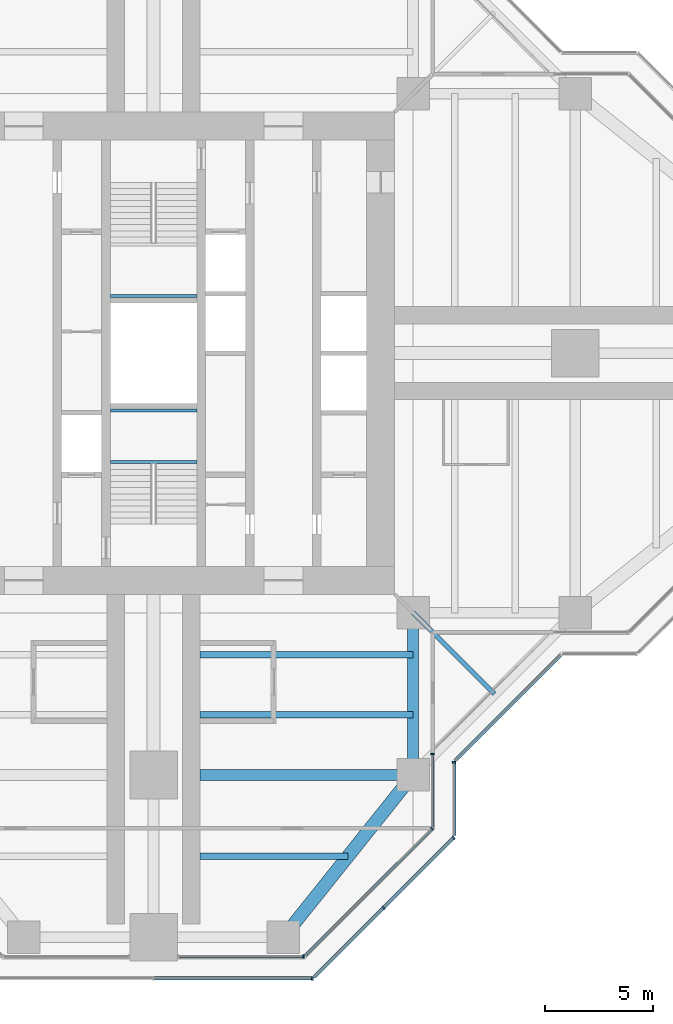
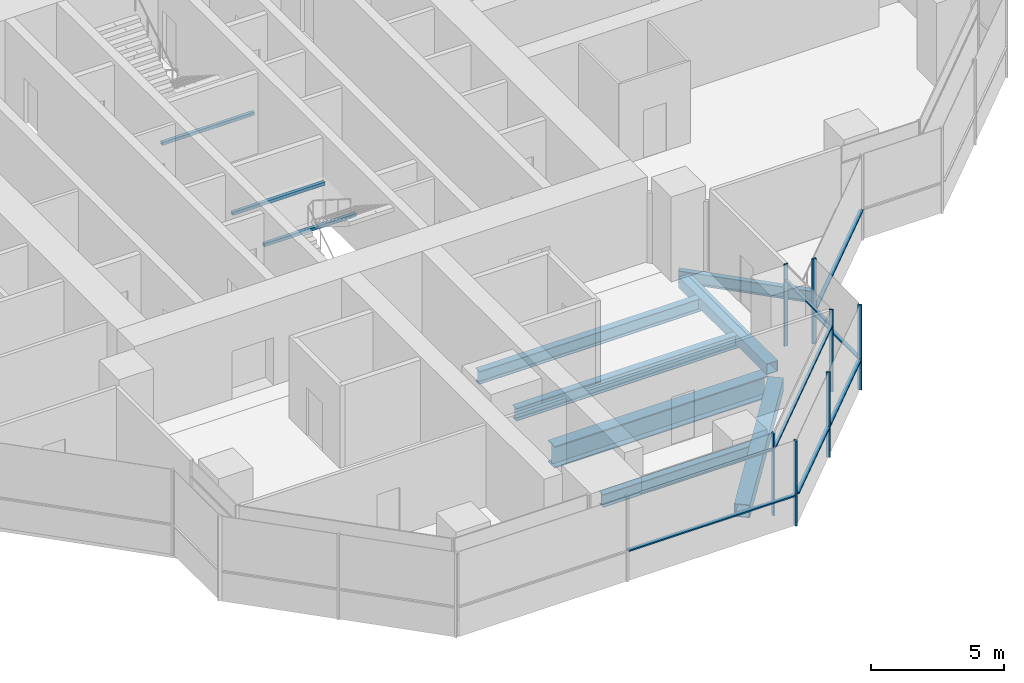
# One storey, part 4 of 17: 15 members, 10 beams, 7 elements without a shape of their own.
"""IFC4 building model written with IfcOpenShell, lengths in metres."""

from ifc_helpers import new_model, si_unit, direction, frame, origin, origin_2d, place, context, subcontext, project, spatial, rectangle, hollow_rectangle, i_section, extrude, material, material_profile, profile_set, type_object, element, aggregate, save


model = new_model("IFC4")

# Units and contexts
model_context = context("Model", 3, precision=1e-05, world=origin(), true_north=direction((0.0, 1.0)))
body_context = subcontext(model_context, "Body", "Model", "MODEL_VIEW")
ifc_project = project(units=[si_unit("LENGTHUNIT", "METRE"), si_unit("AREAUNIT", "SQUARE_METRE"), si_unit("VOLUMEUNIT", "CUBIC_METRE"), si_unit("PLANEANGLEUNIT", "RADIAN"), si_unit("MASSUNIT", "GRAM", prefix="KILO")], contexts=[model_context])

# Site, building, storey
site_placement = place(None, origin())
site = spatial("IfcSite", under=ifc_project, at=site_placement, CompositionType="ELEMENT")
building_placement = place(site_placement, origin())
building = spatial("IfcBuilding", under=site, at=building_placement, Name="Mizan Broadcast Tower", CompositionType="ELEMENT")
storey_placement = place(building_placement, frame((0.0, 0.0, 220.5)))
storey = spatial("IfcBuildingStorey", under=building, at=storey_placement, Name="L51", CompositionType="ELEMENT", Elevation=220.5)

# Beams
ifc_material_1 = material(Name="Steel S355", Category="steel")
ifc_material_profile_1 = material_profile(ifc_material_1, hollow_rectangle(XDim=0.5, YDim=0.5, WallThickness=0.030029296875, at=origin_2d()), Name="BOX 500x500x30")
ifc_profile_set_1 = profile_set([ifc_material_profile_1], Name="Steel S355")
beam_type_1 = type_object("IfcBeamType", Name="EDGE BEAM BOX 500x500x30", PredefinedType="SPANDREL", material=ifc_profile_set_1)
beam_1_placement = place(storey_placement, frame((12.0, -12.449951171875, -0.3798828125), z_axis=(0.0, -1.0, 0.0), x_axis=(1.0, 0.0, 0.0)))
element("IfcBeam", 1, at=beam_1_placement, inside=storey, type_object=beam_type_1, Name="Edge beam BOX 500x500x30 L51 south arm", PredefinedType="SPANDREL", context=body_context, shape_type="SweptSolid", body=[
    extrude(hollow_rectangle(XDim=0.5, YDim=0.5, WallThickness=0.030029296875, at=origin_2d()), origin(), (0.0, 0.0, 1.0), 6.60009765625),
])
ifc_material_2 = material(Name="Steel S355", Category="steel")
ifc_material_profile_2 = material_profile(ifc_material_2, hollow_rectangle(XDim=0.60009765625, YDim=0.60009765625, WallThickness=0.030029296875, at=origin_2d()), Name="BOX 600x600x30")
ifc_profile_set_2 = profile_set([ifc_material_profile_2], Name="Steel S355")
beam_type_2 = type_object("IfcBeamType", Name="EDGE BEAM BOX 600x600x30", PredefinedType="SPANDREL", material=ifc_profile_set_2)
beam_2_placement = place(storey_placement, frame((11.639892578125, -19.949951171875, -0.429931640625), z_axis=(-0.624673911726, -0.780885717636, 0.0), x_axis=(0.780885717636, -0.624673911726, 0.0)))
element("IfcBeam", 2, at=beam_2_placement, inside=storey, type_object=beam_type_2, Name="Edge beam BOX 600x600x30 L51 south arm", PredefinedType="SPANDREL", context=body_context, shape_type="SweptSolid", body=[
    extrude(hollow_rectangle(XDim=0.60009765625, YDim=0.60009765625, WallThickness=0.030029296875, at=origin_2d()), origin(), (0.0, 0.0, 1.0), 8.4521484375),
])
ifc_material_3 = material(Name="Steel S460", Category="steel")
ifc_material_profile_3 = material_profile(ifc_material_3, i_section(OverallWidth=0.5, OverallDepth=1.0, WebThickness=0.02490234375, FlangeThickness=0.050048828125, at=origin_2d()), Name="WPG 1000x500")
ifc_profile_set_3 = profile_set([ifc_material_profile_3], Name="Steel S460")
beam_type_3 = type_object("IfcBeamType", Name="GIRDER WPG 1000x500", PredefinedType="BEAM", material=ifc_profile_set_3)
beam_3_placement = place(storey_placement, frame((11.408935546875, -19.5, -0.6298828125), z_axis=(-1.0, 0.0, 0.0), x_axis=(0.0, -1.0, 0.0)))
element("IfcBeam", 3, at=beam_3_placement, inside=storey, type_object=beam_type_3, Name="Girder WPG 1000x500 L51 south arm", PredefinedType="BEAM", context=body_context, shape_type="SweptSolid", body=[
    extrude(i_section(OverallWidth=0.5, OverallDepth=1.0, WebThickness=0.02490234375, FlangeThickness=0.050048828125, at=origin_2d()), origin(), (0.0, 0.0, 1.0), 9.259033203125),
])

# Curtain wall, member
ifc_material_4 = material(Name="Aluminium framed glazing", Category="aluminium")
curtain_wall_type_1 = type_object("IfcCurtainWallType", Name="INNER SKIN HIGH ZONE", PredefinedType="USERDEFINED", material=ifc_material_4)
curtain_wall_1_placement = place(storey_placement, origin())
curtain_wall_1 = element("IfcCurtainWall", 4, at=curtain_wall_1_placement, inside=storey, type_object=curtain_wall_type_1, Name="Inner skin high zone L51 S end", ObjectType="INNER SKIN HIGH ZONE", PredefinedType="USERDEFINED")
ifc_material_5 = material(Name="Aluminium, pale anodised", Category="aluminium")
ifc_material_profile_4 = material_profile(ifc_material_5, rectangle(XDim=0.159912109375, YDim=0.06005859375, at=origin_2d()), Name="MULLION 160x60")
ifc_profile_set_4 = profile_set([ifc_material_profile_4], Name="Aluminium, pale anodised")
member_type_1 = type_object("IfcMemberType", Name="INNER SKIN MULLION 60x160", PredefinedType="MULLION", material=ifc_profile_set_4)
member_1_placement = place(storey_placement, frame((6.928466796875, -27.89990234375, 0.0), z_axis=(0.0, 0.0, 1.0), x_axis=(0.0, 1.0, 0.0)))
member_1 = element("IfcMember", 5, at=member_1_placement, type_object=member_type_1, Name="Inner skin high zone L51 S end mullion 2", PredefinedType="MULLION", context=body_context, shape_type="SweptSolid", body=[
    extrude(rectangle(XDim=0.159912109375, YDim=0.06005859375, at=origin_2d()), origin(), (0.0, 0.0, 1.0), 3.77001953125),
])

curtain_wall_2_placement = place(storey_placement, origin())
curtain_wall_2 = element("IfcCurtainWall", 6, at=curtain_wall_2_placement, inside=storey, type_object=curtain_wall_type_1, Name="Inner skin high zone L51 S chamfer", ObjectType="INNER SKIN HIGH ZONE", PredefinedType="USERDEFINED")
member_2_placement = place(storey_placement, frame((12.87890625, -21.979736328125, 0.0), z_axis=(0.0, 0.0, 1.0), x_axis=(-0.707106781187, 0.707106781187, 0.0)))
member_2 = element("IfcMember", 7, at=member_2_placement, type_object=member_type_1, Name="Inner skin high zone L51 S chamfer mullion 2", PredefinedType="MULLION", context=body_context, shape_type="SweptSolid", body=[
    extrude(rectangle(XDim=0.159912109375, YDim=0.06005859375, at=origin_2d()), origin(), (0.0, 0.0, 1.0), 3.77001953125),
])

curtain_wall_3_placement = place(storey_placement, origin())
curtain_wall_3 = element("IfcCurtainWall", 8, at=curtain_wall_3_placement, inside=storey, type_object=curtain_wall_type_1, Name="Inner skin high zone L51 S side", ObjectType="INNER SKIN HIGH ZONE", PredefinedType="USERDEFINED")
member_3_placement = place(storey_placement, frame((12.89990234375, -18.530029296875, 0.0), z_axis=(0.0, 0.0, 1.0), x_axis=(-1.0, 0.0, 0.0)))
member_3 = element("IfcMember", 9, at=member_3_placement, type_object=member_type_1, Name="Inner skin high zone L51 S side mullion 2", PredefinedType="MULLION", context=body_context, shape_type="SweptSolid", body=[
    extrude(rectangle(XDim=0.159912109375, YDim=0.06005859375, at=origin_2d()), origin(), (0.0, 0.0, 1.0), 3.77001953125),
])

# Member
ifc_material_6 = material(Name="Aluminium, pale anodised", Category="aluminium")
ifc_material_profile_5 = material_profile(ifc_material_6, rectangle(XDim=0.1201171875, YDim=0.06005859375, at=origin_2d()), Name="TRANSOM 120x60")
ifc_profile_set_5 = profile_set([ifc_material_profile_5], Name="Aluminium, pale anodised")
member_type_2 = type_object("IfcMemberType", Name="INNER SKIN TRANSOM 60x120", PredefinedType="USERDEFINED", material=ifc_profile_set_5)
member_4_placement = place(storey_placement, frame((1.159912109375, -27.89990234375, 3.030029296875), z_axis=(1.0, 0.0, 0.0), x_axis=(0.0, 1.0, 0.0)))
member_4 = element("IfcMember", 10, at=member_4_placement, type_object=member_type_2, Name="Inner skin high zone L51 S end transom 1.1", ObjectType="TRANSOM", PredefinedType="USERDEFINED", context=body_context, shape_type="SweptSolid", body=[
    extrude(rectangle(XDim=0.1201171875, YDim=0.06005859375, at=origin_2d()), origin(), (0.0, 0.0, 1.0), 5.73876953125),
])

aggregate(curtain_wall_1, [member_1, member_4])

member_5_placement = place(storey_placement, frame((7.0009765625, -27.857666015625, 3.030029296875), z_axis=(0.707106781187, 0.707106781187, 0.0), x_axis=(-0.707106781187, 0.707106781187, 0.0)))
member_5 = element("IfcMember", 11, at=member_5_placement, type_object=member_type_2, Name="Inner skin high zone L51 S chamfer transom 1.1", ObjectType="TRANSOM", PredefinedType="USERDEFINED", context=body_context, shape_type="SweptSolid", body=[
    extrude(rectangle(XDim=0.1201171875, YDim=0.06005859375, at=origin_2d()), origin(), (0.0, 0.0, 1.0), 8.28271484375),
])

aggregate(curtain_wall_2, [member_2, member_5])

member_6_placement = place(storey_placement, frame((12.89990234375, -21.898681640625, 3.030029296875), z_axis=(0.0, 1.0, 0.0), x_axis=(-1.0, 0.0, 0.0)))
member_6 = element("IfcMember", 12, at=member_6_placement, type_object=member_type_2, Name="Inner skin high zone L51 S side transom 1.1", ObjectType="TRANSOM", PredefinedType="USERDEFINED", context=body_context, shape_type="SweptSolid", body=[
    extrude(rectangle(XDim=0.1201171875, YDim=0.06005859375, at=origin_2d()), origin(), (0.0, 0.0, 1.0), 3.338623046875),
])

aggregate(curtain_wall_3, [member_3, member_6])

# Beams
ifc_material_7 = material(Name="Steel S355", Category="steel")
ifc_material_profile_6 = material_profile(ifc_material_7, hollow_rectangle(XDim=0.14990234375, YDim=0.14990234375, WallThickness=0.008056640625, InnerFilletRadius=0.008056640625, OuterFilletRadius=0.011962890625, at=origin_2d()), Name="SHS 150x150x8")
ifc_profile_set_6 = profile_set([ifc_material_profile_6], Name="Steel S355")
beam_type_4 = type_object("IfcBeamType", Name="LANDING TRIMMER SHS 150x150x8", PredefinedType="BEAM", material=ifc_profile_set_6)
for number, where, z_axis, x_axis, name in (
    (13, (-2.0, -5.02490234375, 1.675048828125), (1.0, 0.0, 0.0), (0.0, 1.0, 0.0), "Stair A landing trimmer L51"),
    (14, (-2.0, -2.64990234375, 1.675048828125), (1.0, 0.0, 0.0), (0.0, 1.0, 0.0), "Stair A landing trimmer L51"),
    (15, (2.0, 2.64990234375, 1.675048828125), (-1.0, 0.0, 0.0), (0.0, -1.0, 0.0), "Stair B landing trimmer L51"),
):
    element("IfcBeam", number, at=place(storey_placement, frame(where, z_axis=z_axis, x_axis=x_axis)), inside=storey, type_object=beam_type_4, Name=name, PredefinedType="BEAM", context=body_context, shape_type="SweptSolid", body=[
        extrude(hollow_rectangle(XDim=0.14990234375, YDim=0.14990234375, WallThickness=0.008056640625, InnerFilletRadius=0.008056640625, OuterFilletRadius=0.011962890625, at=origin_2d()), origin(), (0.0, 0.0, 1.0), 4.0),
    ])

# Curtain wall, member
ifc_material_8 = material(Name="Aluminium framed glazing", Category="aluminium")
curtain_wall_type_2 = type_object("IfcCurtainWallType", Name="OUTER SKIN", PredefinedType="USERDEFINED", material=ifc_material_8)
curtain_wall_4_placement = place(storey_placement, origin())
curtain_wall_4 = element("IfcCurtainWall", 16, at=curtain_wall_4_placement, inside=storey, type_object=curtain_wall_type_2, Name="Outer skin L51 S end", ObjectType="OUTER SKIN", PredefinedType="USERDEFINED")
ifc_material_9 = material(Name="Aluminium, pale anodised", Category="aluminium")
ifc_material_profile_7 = material_profile(ifc_material_9, rectangle(XDim=0.159912109375, YDim=0.080078125, at=origin_2d()), Name="MULLION 160x80")
ifc_profile_set_7 = profile_set([ifc_material_profile_7], Name="Aluminium, pale anodised")
member_type_3 = type_object("IfcMemberType", Name="OUTER SKIN MULLION 80x160", PredefinedType="MULLION", material=ifc_profile_set_7)
member_7_placement = place(storey_placement, frame((7.332763671875, -28.89990234375, 0.0), z_axis=(0.0, 0.0, 1.0), x_axis=(0.0, 1.0, 0.0)))
member_7 = element("IfcMember", 17, at=member_7_placement, type_object=member_type_3, Name="Outer skin L51 S end mullion 3", PredefinedType="MULLION", context=body_context, shape_type="SweptSolid", body=[
    extrude(rectangle(XDim=0.159912109375, YDim=0.080078125, at=origin_2d()), origin(), (0.0, 0.0, 1.0), 3.89990234375),
])

# Curtain wall, members
curtain_wall_5_placement = place(storey_placement, origin())
curtain_wall_5 = element("IfcCurtainWall", 18, at=curtain_wall_5_placement, inside=storey, type_object=curtain_wall_type_2, Name="Outer skin L51 S chamfer", ObjectType="OUTER SKIN", PredefinedType="USERDEFINED")
member_8_placement = place(storey_placement, frame((10.636474609375, -25.636474609375, 0.0), z_axis=(0.0, 0.0, 1.0), x_axis=(-0.707106781187, 0.707106781187, 0.0)))
member_8 = element("IfcMember", 19, at=member_8_placement, type_object=member_type_3, Name="Outer skin L51 S chamfer mullion 2", PredefinedType="MULLION", context=body_context, shape_type="SweptSolid", body=[
    extrude(rectangle(XDim=0.159912109375, YDim=0.080078125, at=origin_2d()), origin(), (0.0, 0.0, 1.0), 3.89990234375),
])
member_9_placement = place(storey_placement, frame((13.871826171875, -22.401123046875, 0.0), z_axis=(0.0, 0.0, 1.0), x_axis=(-0.707106781187, 0.707106781187, 0.0)))
member_9 = element("IfcMember", 20, at=member_9_placement, type_object=member_type_3, Name="Outer skin L51 S chamfer mullion 3", PredefinedType="MULLION", context=body_context, shape_type="SweptSolid", body=[
    extrude(rectangle(XDim=0.159912109375, YDim=0.080078125, at=origin_2d()), origin(), (0.0, 0.0, 1.0), 3.89990234375),
])

# Curtain wall, member
curtain_wall_6_placement = place(storey_placement, origin())
curtain_wall_6 = element("IfcCurtainWall", 21, at=curtain_wall_6_placement, inside=storey, type_object=curtain_wall_type_2, Name="Outer skin L51 S side", ObjectType="OUTER SKIN", PredefinedType="USERDEFINED")
member_10_placement = place(storey_placement, frame((13.89990234375, -18.912841796875, 0.0), z_axis=(0.0, 0.0, 1.0), x_axis=(-1.0, 0.0, 0.0)))
member_10 = element("IfcMember", 22, at=member_10_placement, type_object=member_type_3, Name="Outer skin L51 S side mullion 2", PredefinedType="MULLION", context=body_context, shape_type="SweptSolid", body=[
    extrude(rectangle(XDim=0.159912109375, YDim=0.080078125, at=origin_2d()), origin(), (0.0, 0.0, 1.0), 3.89990234375),
])

# Member
ifc_material_10 = material(Name="Aluminium, pale anodised", Category="aluminium")
ifc_material_profile_8 = material_profile(ifc_material_10, rectangle(XDim=0.159912109375, YDim=0.06005859375, at=origin_2d()), Name="TRANSOM 160x60")
ifc_profile_set_8 = profile_set([ifc_material_profile_8], Name="Aluminium, pale anodised")
member_type_4 = type_object("IfcMemberType", Name="OUTER SKIN TRANSOM 60x160", PredefinedType="USERDEFINED", material=ifc_profile_set_8)
member_11_placement = place(storey_placement, frame((0.0400390625, -28.89990234375, 1.39990234375), z_axis=(1.0, 0.0, 0.0), x_axis=(0.0, 1.0, 0.0)))
member_11 = element("IfcMember", 23, at=member_11_placement, type_object=member_type_4, Name="Outer skin L51 S end transom 2.1", ObjectType="TRANSOM", PredefinedType="USERDEFINED", context=body_context, shape_type="SweptSolid", body=[
    extrude(rectangle(XDim=0.159912109375, YDim=0.06005859375, at=origin_2d()), origin(), (0.0, 0.0, 1.0), 7.252685546875),
])

aggregate(curtain_wall_4, [member_7, member_11])

member_12_placement = place(storey_placement, frame((7.429443359375, -28.843505859375, 1.39990234375), z_axis=(0.707106781187, 0.707106781187, 0.0), x_axis=(-0.707106781187, 0.707106781187, 0.0)))
member_12 = element("IfcMember", 24, at=member_12_placement, type_object=member_type_4, Name="Outer skin L51 S chamfer transom 1.1", ObjectType="TRANSOM", PredefinedType="USERDEFINED", context=body_context, shape_type="SweptSolid", body=[
    extrude(rectangle(XDim=0.159912109375, YDim=0.06005859375, at=origin_2d()), origin(), (0.0, 0.0, 1.0), 4.495361328125),
])

member_13_placement = place(storey_placement, frame((10.664794921875, -25.608154296875, 1.39990234375), z_axis=(0.707106781187, 0.707106781187, 0.0), x_axis=(-0.707106781187, 0.707106781187, 0.0)))
member_13 = element("IfcMember", 25, at=member_13_placement, type_object=member_type_4, Name="Outer skin L51 S chamfer transom 2.1", ObjectType="TRANSOM", PredefinedType="USERDEFINED", context=body_context, shape_type="SweptSolid", body=[
    extrude(rectangle(XDim=0.159912109375, YDim=0.06005859375, at=origin_2d()), origin(), (0.0, 0.0, 1.0), 4.495361328125),
])

aggregate(curtain_wall_5, [member_8, member_9, member_12, member_13])

member_14_placement = place(storey_placement, frame((13.89990234375, -22.292724609375, 1.39990234375), z_axis=(0.0, 1.0, 0.0), x_axis=(-1.0, 0.0, 0.0)))
member_14 = element("IfcMember", 26, at=member_14_placement, type_object=member_type_4, Name="Outer skin L51 S side transom 1.1", ObjectType="TRANSOM", PredefinedType="USERDEFINED", context=body_context, shape_type="SweptSolid", body=[
    extrude(rectangle(XDim=0.159912109375, YDim=0.06005859375, at=origin_2d()), origin(), (0.0, 0.0, 1.0), 3.33984375),
])

aggregate(curtain_wall_6, [member_10, member_14])

# Curtain wall, member
curtain_wall_7_placement = place(storey_placement, origin())
curtain_wall_7 = element("IfcCurtainWall", 27, at=curtain_wall_7_placement, inside=storey, type_object=curtain_wall_type_2, Name="Outer skin L51 E chamfer", ObjectType="OUTER SKIN", PredefinedType="USERDEFINED")
member_15_placement = place(storey_placement, frame((13.95654296875, -18.816162109375, 1.39990234375), z_axis=(0.707106781187, 0.707106781187, 0.0), x_axis=(-0.707106781187, 0.707106781187, 0.0)))
member_15 = element("IfcMember", 28, at=member_15_placement, type_object=member_type_4, Name="Outer skin L51 E chamfer transom 1.1", ObjectType="TRANSOM", PredefinedType="USERDEFINED", context=body_context, shape_type="SweptSolid", body=[
    extrude(rectangle(XDim=0.159912109375, YDim=0.06005859375, at=origin_2d()), origin(), (0.0, 0.0, 1.0), 6.87255859375),
])
aggregate(curtain_wall_7, [member_15])

# Beams
ifc_material_11 = material(Name="Steel S355", Category="steel")
ifc_material_profile_9 = material_profile(ifc_material_11, i_section(OverallWidth=0.300048828125, OverallDepth=0.590087890625, WebThickness=0.012939453125, FlangeThickness=0.02490234375, FilletRadius=0.027099609375, at=origin_2d()), Name="HEA 600")
ifc_profile_set_9 = profile_set([ifc_material_profile_9], Name="Steel S355")
beam_type_5 = type_object("IfcBeamType", Name="SECONDARY BEAM HEA 600", PredefinedType="JOIST", material=ifc_profile_set_9)
for number, where, z_axis, x_axis, name in (
    (29, (12.0, -13.933349609375, -0.425048828125), (-1.0, 0.0, 0.0), (0.0, -1.0, 0.0), "Secondary beam HEA 600 L51 south arm"),
    (30, (12.0, -16.716552734375, -0.425048828125), (-1.0, 0.0, 0.0), (0.0, -1.0, 0.0), "Secondary beam HEA 600 L51 south arm"),
):
    element("IfcBeam", number, at=place(storey_placement, frame(where, z_axis=z_axis, x_axis=x_axis)), inside=storey, type_object=beam_type_5, Name=name, PredefinedType="JOIST", context=body_context, shape_type="SweptSolid", body=[
        extrude(i_section(OverallWidth=0.300048828125, OverallDepth=0.590087890625, WebThickness=0.012939453125, FlangeThickness=0.02490234375, FilletRadius=0.027099609375, at=origin_2d()), origin(), (0.0, 0.0, 1.0), 9.85009765625),
    ])
beam_4_placement = place(storey_placement, frame((9.0, -23.25, -0.425048828125), z_axis=(-1.0, 0.0, 0.0), x_axis=(0.0, -1.0, 0.0)))
element("IfcBeam", 31, at=beam_4_placement, inside=storey, type_object=beam_type_5, Name="Secondary beam HEA 600 L51 south arm", PredefinedType="JOIST", context=body_context, shape_type="SweptSolid", body=[
    extrude(i_section(OverallWidth=0.300048828125, OverallDepth=0.590087890625, WebThickness=0.012939453125, FlangeThickness=0.02490234375, FilletRadius=0.027099609375, at=origin_2d()), origin(), (0.0, 0.0, 1.0), 6.85009765625),
])
ifc_material_12 = material(Name="Steel S355", Category="steel")
ifc_material_profile_10 = material_profile(ifc_material_12, i_section(OverallWidth=0.2099609375, OverallDepth=0.550048828125, WebThickness=0.010986328125, FlangeThickness=0.01708984375, FilletRadius=0.02392578125, at=origin_2d()), Name="IPE 550")
ifc_profile_set_10 = profile_set([ifc_material_profile_10], Name="Steel S355")
beam_type_6 = type_object("IfcBeamType", Name="SECONDARY BEAM IPE 550", PredefinedType="JOIST", material=ifc_profile_set_10)
beam_5_placement = place(storey_placement, frame((12.0, -12.0, -0.405029296875), z_axis=(0.707106781187, -0.707106781187, 0.0), x_axis=(0.707106781187, 0.707106781187, 0.0)))
element("IfcBeam", 32, at=beam_5_placement, inside=storey, type_object=beam_type_6, Name="Winter garden beam L51 S", PredefinedType="JOIST", context=body_context, shape_type="SweptSolid", body=[
    extrude(i_section(OverallWidth=0.2099609375, OverallDepth=0.550048828125, WebThickness=0.010986328125, FlangeThickness=0.01708984375, FilletRadius=0.02392578125, at=origin_2d()), origin(), (0.0, 0.0, 1.0), 5.30322265625),
])

save(model, "model.ifc")
